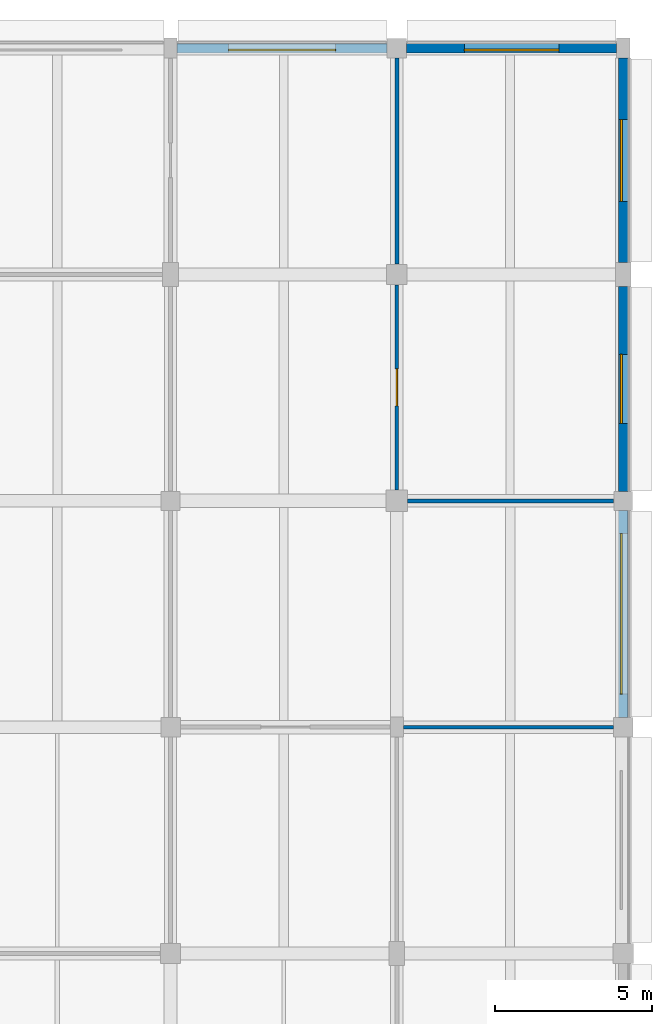
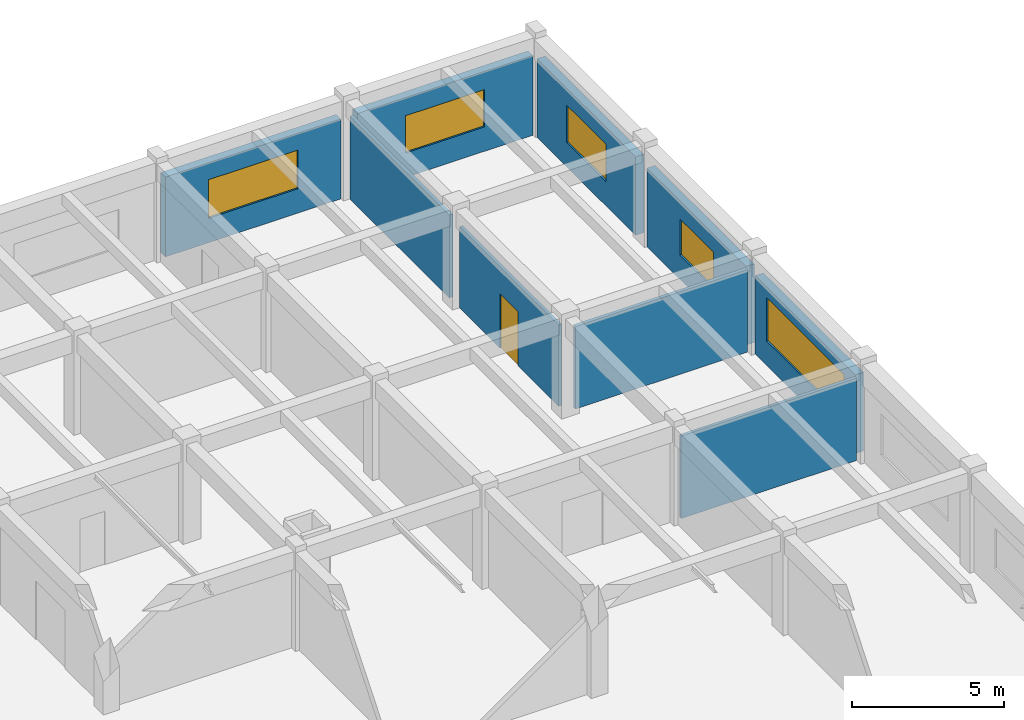
# One storey, part 31 of 38: 9 walls, 5 windows, 1 door, 6 openings.
"""IFC4 building model written with IfcOpenShell, lengths in metres."""

import ifcopenshell
import ifcopenshell.guid

model = None  # the IFC model being written
_history = None  # IfcOwnerHistory: only IFC2X3 demands one
_inside = {}  # id of a spatial element -> (the spatial element, [elements in it])
_under = {}  # id of a project, library or spatial element -> (it, [spatial elements below it])
_declared = {}  # id of a project -> (the project, [libraries it declares])
_typed = {}  # id of a type object -> (the type object, [elements of that type])
_made_of = {}  # id of a material, layer set ... -> (it, [elements and type objects made of it])


def new_model(schema):
    """Start an empty IFC model of exactly this schema.

    Asked for "IFC4X3", IfcOpenShell would pick the latest addendum, in which some entities
    have other attributes; the version numbers below select the first issue.
    IFC2X3 requires an IfcOwnerHistory on every rooted entity: one is made here for all.
    """
    global model, _history
    if schema == "IFC4X3":
        model = ifcopenshell.file(schema_version=(4, 3, 0, 0))
    else:
        model = ifcopenshell.file(schema=schema)
    _inside.clear()
    _under.clear()
    _declared.clear()
    _typed.clear()
    _made_of.clear()
    _history = None
    if model.schema == "IFC2X3":
        org = make("IfcOrganization", Name="unknown")
        user = make(
            "IfcPersonAndOrganization",
            ThePerson=make("IfcPerson", FamilyName="unknown"),
            TheOrganization=org,
        )
        app = make(
            "IfcApplication",
            ApplicationDeveloper=org,
            Version="unknown",
            ApplicationFullName="unknown",
            ApplicationIdentifier="unknown",
        )
        _history = make(
            "IfcOwnerHistory",
            OwningUser=user,
            OwningApplication=app,
            ChangeAction="ADDED",
            CreationDate=0,
        )
    return model


def make(cls, **values):
    """One entity of the class cls with the attributes given. An attribute that is None is left unset."""
    return model.create_entity(
        cls, **{name: value for name, value in values.items() if value is not None}
    )


def rooted(cls, **values):
    """An entity with a GlobalId (a new one), such as an element, a storey or a relation."""
    return make(cls, GlobalId=ifcopenshell.guid.new(), OwnerHistory=_history, **values)


def si_unit(unit_type, name, prefix=None):
    """IfcSIUnit, for example si_unit("LENGTHUNIT", "METRE", prefix="MILLI")."""
    return make("IfcSIUnit", UnitType=unit_type, Prefix=prefix, Name=name)


def assignment(units):
    """IfcUnitAssignment: the units of a project."""
    return None if units is None else make("IfcUnitAssignment", Units=units)


def point(xyz):
    """IfcCartesianPoint."""
    return None if xyz is None else make("IfcCartesianPoint", Coordinates=xyz)


def direction(xyz):
    """IfcDirection."""
    return None if xyz is None else make("IfcDirection", DirectionRatios=xyz)


def frame(location, z_axis=None, x_axis=None):
    """IfcAxis2Placement3D, a coordinate frame: its origin and axes. An axis left out is left unset."""
    return make(
        "IfcAxis2Placement3D",
        Location=point(location),
        Axis=direction(z_axis),
        RefDirection=direction(x_axis),
    )


def frame_2d(location, x_axis=None):
    """IfcAxis2Placement2D, a coordinate frame in the plane: its origin and x axis."""
    return make(
        "IfcAxis2Placement2D", Location=point(location), RefDirection=direction(x_axis)
    )


def origin():
    """The frame at (0, 0, 0) with its axes left unset."""
    return frame((0.0, 0.0, 0.0))


def place(relative_to, where):
    """IfcLocalPlacement: puts the frame where relative to a parent placement (None: the world)."""
    return make(
        "IfcLocalPlacement", PlacementRelTo=relative_to, RelativePlacement=where
    )


def context(
    kind, dimensions, precision=None, world=None, true_north=None, identifier=None
):
    """IfcGeometricRepresentationContext, for example the 3D "Model" context."""
    return make(
        "IfcGeometricRepresentationContext",
        ContextIdentifier=identifier,
        ContextType=kind,
        CoordinateSpaceDimension=dimensions,
        Precision=precision,
        WorldCoordinateSystem=world,
        TrueNorth=true_north,
    )


def subcontext(parent, identifier, kind, view, scale=None):
    """IfcGeometricRepresentationSubContext, for example "Body" below "Model"."""
    return make(
        "IfcGeometricRepresentationSubContext",
        ContextIdentifier=identifier,
        ContextType=kind,
        ParentContext=parent,
        TargetScale=scale,
        TargetView=view,
    )


def project(units=None, contexts=None):
    """IfcProject with its units and contexts."""
    return rooted(
        "IfcProject",
        Name="project",
        RepresentationContexts=contexts,
        UnitsInContext=assignment(units),
    )


def spatial(cls, under=None, at=None, **own):
    """A site, building, storey or space (cls), placed at a placement, below another one or the project."""
    s = rooted(cls, ObjectPlacement=at, **own)
    if under is not None:
        _under.setdefault(under.id(), (under, []))[1].append(s)
    return s


def profile(cls, at=None, kind="AREA", **sizes):
    """A parametric profile (cls). Its sizes go by their IFC names, for example OverallWidth=200.0."""
    return make(cls, ProfileType=kind, Position=at, **sizes)


def rectangle(**sizes):
    """IfcRectangleProfileDef."""
    return profile("IfcRectangleProfileDef", **sizes)


def extrude(swept, where, along, depth):
    """IfcExtrudedAreaSolid: the profile swept, set in the frame where, extruded along a direction by depth."""
    return make(
        "IfcExtrudedAreaSolid",
        SweptArea=swept,
        Position=where,
        ExtrudedDirection=direction(along),
        Depth=depth,
    )


def shape(context_of_items, identifier, shape_type, items):
    """IfcShapeRepresentation: the items that make up one representation, for example the "Body"."""
    return make(
        "IfcShapeRepresentation",
        ContextOfItems=context_of_items,
        RepresentationIdentifier=identifier,
        RepresentationType=shape_type,
        Items=items,
    )


def material(Name=None, Category=None):
    """IfcMaterial."""
    return make("IfcMaterial", Name=Name, Category=Category)


def layer(
    of_material, thickness, ventilated=None, Name=None, Category=None, Priority=None
):
    """IfcMaterialLayer: one layer of a wall or slab, of a material (None: an air gap)."""
    return make(
        "IfcMaterialLayer",
        Material=of_material,
        LayerThickness=thickness,
        IsVentilated=ventilated,
        Name=Name,
        Category=Category,
        Priority=Priority,
    )


def layer_set(layers, Name=None):
    """IfcMaterialLayerSet."""
    return make("IfcMaterialLayerSet", MaterialLayers=layers, LayerSetName=Name)


def made_of(thing, what):
    """Note that an element or type object is made of a material, layer set ...; save() writes the relation."""
    if what is not None:
        _made_of.setdefault(what.id(), (what, []))[1].append(thing)
    return thing


def type_object(cls, material=None, **own):
    """A type object (cls), such as IfcWallType, which elements share."""
    return made_of(rooted(cls, **own), material)


def element(
    cls,
    number,
    at=None,
    inside=None,
    cuts=None,
    type_object=None,
    material=None,
    context=None,
    identifier="Body",
    shape_type=None,
    held_by="IfcProductDefinitionShape",
    body=None,
    shapes=None,
    **own,
):
    """One element of the class cls, such as IfcWall. Its Tag is "e" and its number.

    at: its placement. inside: the storey or other place that contains it. cuts: it is an
    opening in that element (IfcRelVoidsElement). A single representation is given by context,
    identifier, shape_type and body (its items); several are given by shapes. held_by: the class
    of the entity that holds the representations. save() writes the other relations.
    """
    e = rooted(cls, Tag="e%d" % number, ObjectPlacement=at, **own)
    if body is not None:
        shapes = [shape(context, identifier, shape_type, body)]
    if shapes is not None:
        e.Representation = make(held_by, Representations=shapes)
    if inside is not None:
        _inside.setdefault(inside.id(), (inside, []))[1].append(e)
    if cuts is not None:
        rooted(
            "IfcRelVoidsElement", RelatingBuildingElement=cuts, RelatedOpeningElement=e
        )
    if type_object is not None:
        _typed.setdefault(type_object.id(), (type_object, []))[1].append(e)
    return made_of(e, material)


def fill(opening, filler):
    """IfcRelFillsElement: the door or window that sits in an opening."""
    return rooted(
        "IfcRelFillsElement",
        RelatingOpeningElement=opening,
        RelatedBuildingElement=filler,
    )


def aggregate(whole, parts):
    """IfcRelAggregates: a whole, such as a stair, and the parts it consists of."""
    return rooted("IfcRelAggregates", RelatingObject=whole, RelatedObjects=parts)


def save(model, path):
    """Write the relations noted so far, then the file.

    IfcRelAggregates (storeys below a building ...), IfcRelContainedInSpatialStructure (elements
    in a storey), IfcRelDefinesByType, IfcRelAssociatesMaterial and IfcRelDeclares: one each for
    every whole, place, type object, material and project.
    """
    for whole, parts in _under.values():
        aggregate(whole, parts)
    for where, things in _inside.values():
        rooted(
            "IfcRelContainedInSpatialStructure",
            RelatedElements=things,
            RelatingStructure=where,
        )
    for kind, things in _typed.values():
        rooted("IfcRelDefinesByType", RelatedObjects=things, RelatingType=kind)
    for what, things in _made_of.values():
        rooted("IfcRelAssociatesMaterial", RelatedObjects=things, RelatingMaterial=what)
    for by, libraries in _declared.values():
        rooted("IfcRelDeclares", RelatingContext=by, RelatedDefinitions=libraries)
    model.write(path)


model = new_model("IFC4")

# Units and contexts
model_context = context("Model", 3, precision=1e-05, world=origin(), true_north=direction((0.0, 1.0)))
body_context = subcontext(model_context, "Body", "Model", "MODEL_VIEW")
ifc_project = project(units=[si_unit("LENGTHUNIT", "METRE"), si_unit("AREAUNIT", "SQUARE_METRE"), si_unit("VOLUMEUNIT", "CUBIC_METRE"), si_unit("PLANEANGLEUNIT", "RADIAN"), si_unit("MASSUNIT", "GRAM", prefix="KILO")], contexts=[model_context])

# Site, building, storey
site_placement = place(None, origin())
site = spatial("IfcSite", under=ifc_project, at=site_placement, CompositionType="ELEMENT")
building_placement = place(site_placement, origin())
building = spatial("IfcBuilding", under=site, at=building_placement, Name="Thalmaran Polytechnic", CompositionType="ELEMENT")
storey_placement = place(building_placement, frame((0.0, 0.0, 18.60009765625)))
storey = spatial("IfcBuildingStorey", under=building, at=storey_placement, Name="L04", CompositionType="ELEMENT", Elevation=18.60009765625)

# Wall, opening, window
ifc_material_1 = material(Name="Precast concrete C40/50", Category="concrete")
ifc_layer_1 = layer(ifc_material_1, 0.31005859375, Name="Precast concrete C40/50")
ifc_layer_set_1 = layer_set([ifc_layer_1], Name="Precast concrete C40/50")
wall_type_1 = type_object("IfcWallType", Name="WL-EW03", PredefinedType="STANDARD", material=ifc_layer_set_1)
wall_1_placement = place(storey_placement, frame((158.610107421875, 122.39990234375, 0.0), z_axis=(0.0, 0.0, 1.0), x_axis=(1.0, 0.0, 0.0)))
wall_1 = element("IfcWall", 1, at=wall_1_placement, inside=storey, type_object=wall_type_1, Name="Exterior Precast Facade Wall L04-005", PredefinedType="STANDARD", context=body_context, shape_type="SweptSolid", body=[
    extrude(rectangle(XDim=6.679931640625, YDim=0.31005859375, at=frame_2d((3.33984375, 0.0))), origin(), (0.0, 0.0, 1.0), 3.2099609375),
])
opening_1_placement = place(wall_1_placement, frame((1.639892578125, 0.0, 0.97998046875)))
opening_1 = element("IfcOpeningElement", 2, at=opening_1_placement, cuts=wall_1, Name="Opening VW03", PredefinedType="OPENING", context=body_context, shape_type="SweptSolid", body=[
    extrude(rectangle(XDim=3.39990234375, YDim=1.550048828125, at=frame_2d((1.699951171875, 0.77490234375))), frame((0.0, 0.1650390625, 0.0), z_axis=(0.0, -1.0, 0.0), x_axis=(1.0, 0.0, 0.0)), (0.0, 0.0, 1.0), 0.330078125),
])
ifc_material_2 = material(Name="Thermally broken aluminium and double low-E glass", Category="aluminium")
window_type_1 = type_object("IfcWindowType", Name="WN-VZ03", PartitioningType="DOUBLE_PANEL_VERTICAL", PredefinedType="WINDOW", material=ifc_material_2)
window_1_placement = place(opening_1_placement, origin())
window_1 = element("IfcWindow", 3, at=window_1_placement, inside=storey, type_object=window_type_1, Name="Streamline Ribbon Window W-0534", OverallHeight=1.550048828125, OverallWidth=3.39990234375, PartitioningType="SINGLE_PANEL", PredefinedType="WINDOW", context=body_context, shape_type="SweptSolid", body=[
    extrude(rectangle(XDim=3.39990234375, YDim=1.550048828125, at=frame_2d((1.699951171875, 0.77490234375))), frame((0.0, -0.030029296875, 0.0), z_axis=(0.0, -1.0, 0.0), x_axis=(1.0, 0.0, 0.0)), (0.0, 0.0, 1.0), 0.06005859375),
])
fill(opening_1, window_1)

wall_2_placement = place(storey_placement, frame((165.909912109375, 122.39990234375, 0.0), z_axis=(0.0, 0.0, 1.0), x_axis=(1.0, 0.0, 0.0)))
wall_2 = element("IfcWall", 4, at=wall_2_placement, inside=storey, type_object=wall_type_1, Name="Exterior Precast Facade Wall L04-006", PredefinedType="STANDARD", context=body_context, shape_type="SweptSolid", body=[
    extrude(rectangle(XDim=6.68017578125, YDim=0.31005859375, at=frame_2d((3.340087890625, 0.0))), origin(), (0.0, 0.0, 1.0), 3.2099609375),
])
opening_2_placement = place(wall_2_placement, frame((1.840087890625, 0.0, 0.97998046875)))
opening_2 = element("IfcOpeningElement", 5, at=opening_2_placement, cuts=wall_2, Name="Opening VW04", PredefinedType="OPENING", context=body_context, shape_type="SweptSolid", body=[
    extrude(rectangle(XDim=3.0, YDim=1.5, at=frame_2d((1.5, 0.75))), frame((0.0, 0.1650390625, 0.0), z_axis=(0.0, -1.0, 0.0), x_axis=(1.0, 0.0, 0.0)), (0.0, 0.0, 1.0), 0.330078125),
])
window_type_2 = type_object("IfcWindowType", Name="WN-VZ04", PartitioningType="DOUBLE_PANEL_VERTICAL", PredefinedType="WINDOW", material=ifc_material_2)
window_2_placement = place(opening_2_placement, origin())
window_2 = element("IfcWindow", 6, at=window_2_placement, inside=storey, type_object=window_type_2, Name="Streamline Ribbon Window W-0535", OverallHeight=1.5, OverallWidth=3.0, PartitioningType="SINGLE_PANEL", PredefinedType="WINDOW", context=body_context, shape_type="SweptSolid", body=[
    extrude(rectangle(XDim=3.0, YDim=1.5, at=frame_2d((1.5, 0.75))), frame((0.0, -0.030029296875, 0.0), z_axis=(0.0, -1.0, 0.0), x_axis=(1.0, 0.0, 0.0)), (0.0, 0.0, 1.0), 0.06005859375),
])
fill(opening_2, window_2)

wall_3_placement = place(storey_placement, frame((172.800048828125, 122.080078125, 0.0), z_axis=(0.0, 0.0, 1.0), x_axis=(0.0, -1.0, 0.0)))
wall_3 = element("IfcWall", 7, at=wall_3_placement, inside=storey, type_object=wall_type_1, Name="Exterior Precast Facade Wall L04-007", PredefinedType="STANDARD", context=body_context, shape_type="SweptSolid", body=[
    extrude(rectangle(XDim=6.505126953125, YDim=0.31005859375, at=frame_2d((3.25244140625, 0.0))), origin(), (0.0, 0.0, 1.0), 3.159912109375),
])
opening_3_placement = place(wall_3_placement, frame((1.952392578125, 0.0, 0.97998046875)))
opening_3 = element("IfcOpeningElement", 8, at=opening_3_placement, cuts=wall_3, Name="Opening VW05", PredefinedType="OPENING", context=body_context, shape_type="SweptSolid", body=[
    extrude(rectangle(XDim=2.60009765625, YDim=1.5, at=frame_2d((1.300048828125, 0.75))), frame((0.0, 0.1650390625, 0.0), z_axis=(0.0, -1.0, 0.0), x_axis=(1.0, 0.0, 0.0)), (0.0, 0.0, 1.0), 0.330078125),
])
window_type_3 = type_object("IfcWindowType", Name="WN-VZ05", PartitioningType="DOUBLE_PANEL_VERTICAL", PredefinedType="WINDOW", material=ifc_material_2)
window_3_placement = place(opening_3_placement, origin())
window_3 = element("IfcWindow", 9, at=window_3_placement, inside=storey, type_object=window_type_3, Name="Streamline Ribbon Window W-0536", OverallHeight=1.5, OverallWidth=2.60009765625, PartitioningType="SINGLE_PANEL", PredefinedType="WINDOW", context=body_context, shape_type="SweptSolid", body=[
    extrude(rectangle(XDim=2.60009765625, YDim=1.5, at=frame_2d((1.300048828125, 0.75))), frame((0.0, -0.030029296875, 0.0), z_axis=(0.0, -1.0, 0.0), x_axis=(1.0, 0.0, 0.0)), (0.0, 0.0, 1.0), 0.06005859375),
])
fill(opening_3, window_3)

wall_4_placement = place(storey_placement, frame((172.800048828125, 114.824951171875, 0.0), z_axis=(0.0, 0.0, 1.0), x_axis=(0.0, -1.0, 0.0)))
wall_4 = element("IfcWall", 10, at=wall_4_placement, inside=storey, type_object=wall_type_1, Name="Exterior Precast Facade Wall L04-008", PredefinedType="STANDARD", context=body_context, shape_type="SweptSolid", body=[
    extrude(rectangle(XDim=6.52490234375, YDim=0.31005859375, at=frame_2d((3.262451171875, 0.0))), origin(), (0.0, 0.0, 1.0), 3.159912109375),
])
opening_4_placement = place(wall_4_placement, frame((2.16259765625, 0.0, 0.97998046875)))
opening_4 = element("IfcOpeningElement", 11, at=opening_4_placement, cuts=wall_4, Name="Opening VW06", PredefinedType="OPENING", context=body_context, shape_type="SweptSolid", body=[
    extrude(rectangle(XDim=2.199951171875, YDim=1.449951171875, at=frame_2d((1.10009765625, 0.72509765625))), frame((0.0, 0.1650390625, 0.0), z_axis=(0.0, -1.0, 0.0), x_axis=(1.0, 0.0, 0.0)), (0.0, 0.0, 1.0), 0.330078125),
])
window_type_4 = type_object("IfcWindowType", Name="WN-VZ06", PartitioningType="DOUBLE_PANEL_VERTICAL", PredefinedType="WINDOW", material=ifc_material_2)
window_4_placement = place(opening_4_placement, origin())
window_4 = element("IfcWindow", 12, at=window_4_placement, inside=storey, type_object=window_type_4, Name="Streamline Ribbon Window W-0537", OverallHeight=1.449951171875, OverallWidth=2.199951171875, PartitioningType="SINGLE_PANEL", PredefinedType="WINDOW", context=body_context, shape_type="SweptSolid", body=[
    extrude(rectangle(XDim=2.199951171875, YDim=1.449951171875, at=frame_2d((1.10009765625, 0.72509765625))), frame((0.0, -0.030029296875, 0.0), z_axis=(0.0, -1.0, 0.0), x_axis=(1.0, 0.0, 0.0)), (0.0, 0.0, 1.0), 0.06005859375),
])
fill(opening_4, window_4)

wall_5_placement = place(storey_placement, frame((172.800048828125, 107.699951171875, 0.0), z_axis=(0.0, 0.0, 1.0), x_axis=(0.0, -1.0, 0.0)))
wall_5 = element("IfcWall", 13, at=wall_5_placement, inside=storey, type_object=wall_type_1, Name="Exterior Precast Facade Wall L04-009", PredefinedType="STANDARD", context=body_context, shape_type="SweptSolid", body=[
    extrude(rectangle(XDim=6.58984375, YDim=0.31005859375, at=frame_2d((3.294921875, 0.0))), origin(), (0.0, 0.0, 1.0), 3.159912109375),
])
opening_5_placement = place(wall_5_placement, frame((0.7451171875, 0.0, 0.97998046875)))
opening_5 = element("IfcOpeningElement", 14, at=opening_5_placement, cuts=wall_5, Name="Opening VW15", PredefinedType="OPENING", context=body_context, shape_type="SweptSolid", body=[
    extrude(rectangle(XDim=5.10009765625, YDim=1.75, at=frame_2d((2.550048828125, 0.875))), frame((0.0, 0.1650390625, 0.0), z_axis=(0.0, -1.0, 0.0), x_axis=(1.0, 0.0, 0.0)), (0.0, 0.0, 1.0), 0.330078125),
])
window_type_5 = type_object("IfcWindowType", Name="WN-VZ15", PartitioningType="TRIPLE_PANEL_HORIZONTAL", PredefinedType="WINDOW", material=ifc_material_2)
window_5_placement = place(opening_5_placement, origin())
window_5 = element("IfcWindow", 15, at=window_5_placement, inside=storey, type_object=window_type_5, Name="Streamline Ribbon Window W-0538", OverallHeight=1.75, OverallWidth=5.10009765625, PartitioningType="SINGLE_PANEL", PredefinedType="WINDOW", context=body_context, shape_type="SweptSolid", body=[
    extrude(rectangle(XDim=5.10009765625, YDim=1.75, at=frame_2d((2.550048828125, 0.875))), frame((0.0, -0.030029296875, 0.0), z_axis=(0.0, -1.0, 0.0), x_axis=(1.0, 0.0, 0.0)), (0.0, 0.0, 1.0), 0.06005859375),
])
fill(opening_5, window_5)

# Walls
ifc_material_3 = material(Name="Gypsum acoustic partition")
ifc_layer_2 = layer(ifc_material_3, 0.1298828125, Name="Gypsum acoustic partition")
ifc_layer_set_2 = layer_set([ifc_layer_2], Name="Gypsum acoustic partition")
wall_type_2 = type_object("IfcWallType", Name="WL-IW07", PredefinedType="PARTITIONING", material=ifc_layer_set_2)
wall_6_placement = place(storey_placement, frame((165.60009765625, 115.530029296875, 0.0), z_axis=(0.0, 0.0, 1.0), x_axis=(0.0, 1.0, 0.0)))
element("IfcWall", 16, at=wall_6_placement, inside=storey, type_object=wall_type_2, Name="Interior Partition IW07 L04-086", PredefinedType="PARTITIONING", context=body_context, shape_type="SweptSolid", body=[
    extrude(rectangle(XDim=6.554931640625, YDim=0.1298828125, at=frame_2d((3.27734375, 0.0))), origin(), (0.0, 0.0, 1.0), 3.3349609375),
])
wall_7_placement = place(storey_placement, frame((165.945068359375, 108.0, 0.0), z_axis=(0.0, 0.0, 1.0), x_axis=(1.0, 0.0, 0.0)))
element("IfcWall", 17, at=wall_7_placement, inside=storey, type_object=wall_type_2, Name="Interior Partition IW07 L04-088", PredefinedType="PARTITIONING", context=body_context, shape_type="SweptSolid", body=[
    extrude(rectangle(XDim=6.550048828125, YDim=0.1298828125, at=frame_2d((3.27490234375, 0.0))), origin(), (0.0, 0.0, 1.0), 3.31494140625),
])

# Wall, opening, door
ifc_layer_3 = layer(ifc_material_3, 0.114990234375, Name="Gypsum acoustic partition")
ifc_layer_set_3 = layer_set([ifc_layer_3], Name="Gypsum acoustic partition")
wall_type_3 = type_object("IfcWallType", Name="WL-IW08", PredefinedType="PARTITIONING", material=ifc_layer_set_3)
wall_8_placement = place(storey_placement, frame((165.60009765625, 108.344970703125, 0.0), z_axis=(0.0, 0.0, 1.0), x_axis=(0.0, 1.0, 0.0)))
wall_8 = element("IfcWall", 18, at=wall_8_placement, inside=storey, type_object=wall_type_3, Name="Interior Partition IW08 L04-085", PredefinedType="PARTITIONING", context=body_context, shape_type="SweptSolid", body=[
    extrude(rectangle(XDim=6.525146484375, YDim=0.114990234375, at=frame_2d((3.2626953125, 0.0))), origin(), (0.0, 0.0, 1.0), 3.27001953125),
])
opening_6_placement = place(wall_8_placement, frame((2.672607421875, 0.0, 0.0)))
opening_6 = element("IfcOpeningElement", 19, at=opening_6_placement, cuts=wall_8, Name="Opening D-L04-028-5-08-1", PredefinedType="OPENING", context=body_context, shape_type="SweptSolid", body=[
    extrude(rectangle(XDim=1.179931640625, YDim=2.179931640625, at=frame_2d((0.58984375, 1.08984375))), frame((0.0, 0.0673828125, 0.0), z_axis=(0.0, -1.0, 0.0), x_axis=(1.0, 0.0, 0.0)), (0.0, 0.0, 1.0), 0.135009765625),
])
ifc_material_4 = material(Name="Acoustic hardwood", Category="wood")
door_type = type_object("IfcDoorType", Name="DR-ZD05", OperationType="NOTDEFINED", PredefinedType="DOOR", material=ifc_material_4)
door_placement = place(opening_6_placement, origin())
door = element("IfcDoor", 20, at=door_placement, inside=storey, type_object=door_type, Name="Robotics and Automation Laboratory L04-08 Door 1", OperationType="SINGLE_SWING_LEFT", OverallHeight=2.179931640625, OverallWidth=1.179931640625, PredefinedType="DOOR", context=body_context, shape_type="SweptSolid", body=[
    extrude(rectangle(XDim=1.179931640625, YDim=2.179931640625, at=frame_2d((0.58984375, 1.08984375))), frame((0.0, 0.02490234375, 0.0), z_axis=(0.0, -1.0, 0.0), x_axis=(1.0, 0.0, 0.0)), (0.0, 0.0, 1.0), 0.050048828125),
])
fill(opening_6, door)

# Wall
wall_9_placement = place(storey_placement, frame((165.81494140625, 100.800048828125, 0.0), z_axis=(0.0, 0.0, 1.0), x_axis=(1.0, 0.0, 0.0)))
element("IfcWall", 21, at=wall_9_placement, inside=storey, type_object=wall_type_3, Name="Interior Partition IW08 L04-087", PredefinedType="PARTITIONING", context=body_context, shape_type="SweptSolid", body=[
    extrude(rectangle(XDim=6.670166015625, YDim=0.114990234375, at=frame_2d((3.3349609375, 0.0))), origin(), (0.0, 0.0, 1.0), 3.31494140625),
])

save(model, "model.ifc")
